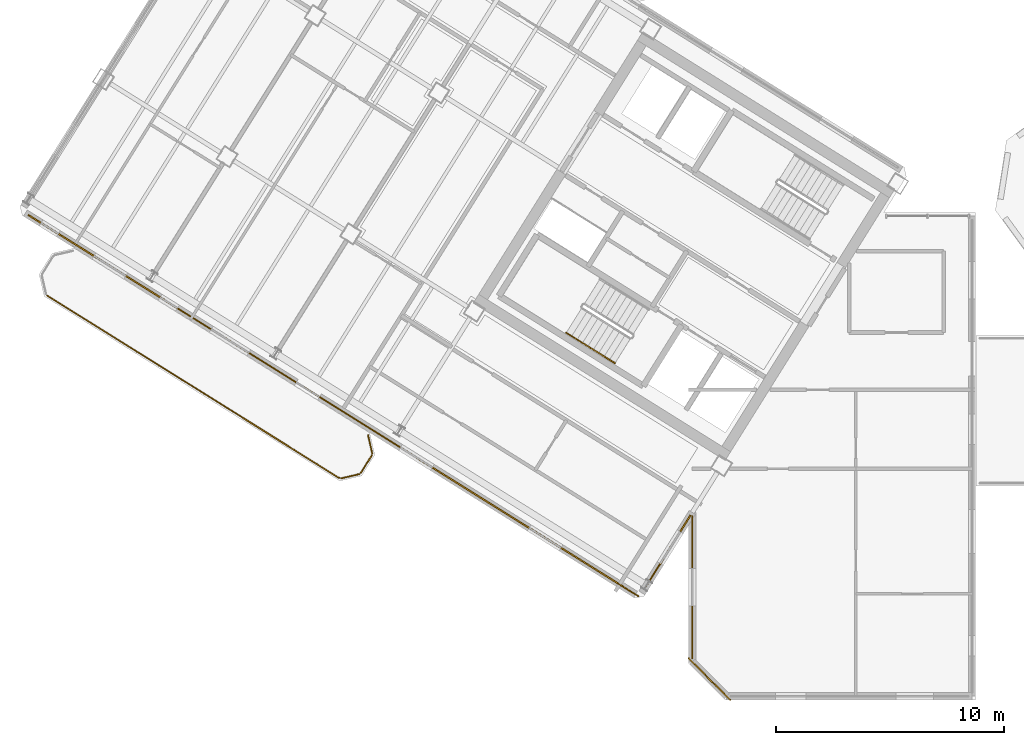
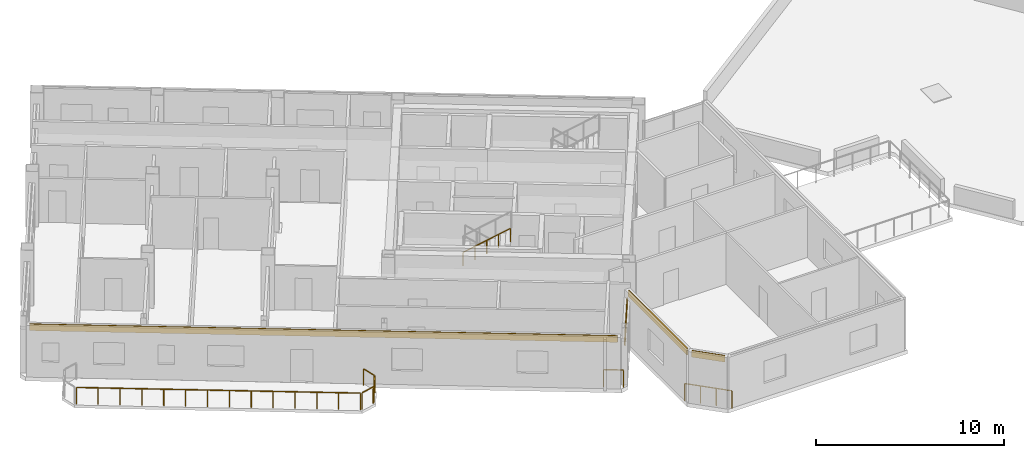
# One storey, part 9 of 14: 8 railings, 4 coverings.
"""IFC4 building model written with IfcOpenShell, lengths in metres."""

from ifc_helpers import new_model, si_unit, direction, frame, origin, origin_2d, place, context, subcontext, project, spatial, rectangle, extrude, source, transform, mapped, material, layer, layer_set, type_object, element, save


model = new_model("IFC4")

# Units and contexts
model_context = context("Model", 3, precision=1e-05, world=origin(), true_north=direction((0.0, 1.0)))
body_context = subcontext(model_context, "Body", "Model", "MODEL_VIEW")
ifc_project = project(units=[si_unit("LENGTHUNIT", "METRE"), si_unit("AREAUNIT", "SQUARE_METRE"), si_unit("VOLUMEUNIT", "CUBIC_METRE"), si_unit("PLANEANGLEUNIT", "RADIAN"), si_unit("MASSUNIT", "GRAM", prefix="KILO")], contexts=[model_context])

# Site, building, storey
site_placement = place(None, origin())
site = spatial("IfcSite", under=ifc_project, at=site_placement, CompositionType="ELEMENT")
building_placement = place(site_placement, origin())
building = spatial("IfcBuilding", under=site, at=building_placement, Name="Tlacorven Tower", CompositionType="ELEMENT")
storey_placement = place(building_placement, frame((0.0, 0.0, 262.800048828125)))
storey = spatial("IfcBuildingStorey", under=building, at=storey_placement, Name="L66", CompositionType="ELEMENT", Elevation=262.800048828125)

# Railings
ifc_material_1 = material(Name="Aluminium and painted steel balustrade", Category="steel")
railing_type_1 = type_object("IfcRailingType", Name="RL-BAL-1100", PredefinedType="BALUSTRADE", material=ifc_material_1)
shared_shape_1 = source(origin(), body_context, "Body", "SweptSolid", [
    extrude(rectangle(XDim=0.048095703125, YDim=0.048095703125, at=origin_2d()), frame((0.0, 0.0, 1.076171875), z_axis=(0.225058334816, -0.974345290916, 0.0), x_axis=(0.974345290916, 0.225058334816, 0.0)), (0.0, 0.0, 1.0), 0.80712890625),
    extrude(rectangle(XDim=0.0419921875, YDim=0.0419921875, at=origin_2d()), origin(), (0.0, 0.0, 1.0), 1.052001953125),
    extrude(rectangle(XDim=0.0419921875, YDim=0.0419921875, at=origin_2d()), frame((0.181640625, -0.786376953125, 0.0)), (0.0, 0.0, 1.0), 1.052001953125),
])
railing_1_placement = place(storey_placement, frame((17.5244140625, 13.413330078125, 0.0)))
element("IfcRailing", 1, at=railing_1_placement, inside=storey, type_object=railing_type_1, Name="BAL-L66-W-OUT Guard Railing 1", PredefinedType="BALUSTRADE", context=body_context, shape_type="MappedRepresentation", body=[
    mapped(shared_shape_1, transform((0.0, 0.0, 0.0), scale=1.0)),
])
shared_shape_2 = source(origin(), body_context, "Body", "SweptSolid", [
    extrude(rectangle(XDim=0.048095703125, YDim=0.048095703125, at=origin_2d()), frame((0.0, 0.0, 1.076171875), z_axis=(-0.52987865805, -0.848073468364, 0.0), x_axis=(0.848073468364, -0.52987865805, 0.0)), (0.0, 0.0, 1.0), 0.912353515625),
    extrude(rectangle(XDim=0.0419921875, YDim=0.0419921875, at=origin_2d()), origin(), (0.0, 0.0, 1.0), 1.052001953125),
    extrude(rectangle(XDim=0.0419921875, YDim=0.0419921875, at=origin_2d()), frame((-0.4833984375, -0.773681640625, 0.0)), (0.0, 0.0, 1.0), 1.052001953125),
])
railing_2_placement = place(storey_placement, frame((17.690673828125, 12.535888671875, 0.0)))
element("IfcRailing", 2, at=railing_2_placement, inside=storey, type_object=railing_type_1, Name="BAL-L66-W-OUT Guard Railing 2", PredefinedType="BALUSTRADE", context=body_context, shape_type="MappedRepresentation", body=[
    mapped(shared_shape_2, transform((0.0, 0.0, 0.0), scale=1.0)),
])
shared_shape_3 = source(origin(), body_context, "Body", "SweptSolid", [
    extrude(rectangle(XDim=0.048095703125, YDim=0.048095703125, at=origin_2d()), frame((0.0, 0.0, 1.076171875), z_axis=(-0.974411586182, -0.224771129628, 0.0), x_axis=(0.224771129628, -0.974411586182, 0.0)), (0.0, 0.0, 1.0), 0.80712890625),
    extrude(rectangle(XDim=0.0419921875, YDim=0.0419921875, at=origin_2d()), origin(), (0.0, 0.0, 1.0), 1.052001953125),
    extrude(rectangle(XDim=0.0419921875, YDim=0.0419921875, at=origin_2d()), frame((-0.786376953125, -0.181396484375, 0.0)), (0.0, 0.0, 1.0), 1.052001953125),
])
railing_3_placement = place(storey_placement, frame((17.132080078125, 11.70849609375, 0.0)))
element("IfcRailing", 3, at=railing_3_placement, inside=storey, type_object=railing_type_1, Name="BAL-L66-W-OUT Guard Railing 3", PredefinedType="BALUSTRADE", context=body_context, shape_type="MappedRepresentation", body=[
    mapped(shared_shape_3, transform((0.0, 0.0, 0.0), scale=1.0)),
])
shared_shape_4 = source(origin(), body_context, "Body", "SweptSolid", [
    extrude(rectangle(XDim=0.048095703125, YDim=0.048095703125, at=origin_2d()), frame((0.0, 0.0, 1.076171875), z_axis=(-0.848044572804, 0.529924902733, 0.0), x_axis=(-0.529924902733, -0.848044572804, 0.0)), (0.0, 0.0, 1.0), 15.1171875),
    extrude(rectangle(XDim=0.0419921875, YDim=0.0419921875, at=origin_2d()), origin(), (0.0, 0.0, 1.0), 1.052001953125),
    extrude(rectangle(XDim=0.0419921875, YDim=0.0419921875, at=origin_2d()), frame((-0.986083984375, 0.6162109375, 0.0)), (0.0, 0.0, 1.0), 1.052001953125),
    extrude(rectangle(XDim=0.0419921875, YDim=0.0419921875, at=origin_2d()), frame((-1.972412109375, 1.232421875, 0.0)), (0.0, 0.0, 1.0), 1.052001953125),
    extrude(rectangle(XDim=0.0419921875, YDim=0.0419921875, at=origin_2d()), frame((-2.95849609375, 1.8486328125, 0.0)), (0.0, 0.0, 1.0), 1.052001953125),
    extrude(rectangle(XDim=0.0419921875, YDim=0.0419921875, at=origin_2d()), frame((-3.944580078125, 2.46484375, 0.0)), (0.0, 0.0, 1.0), 1.052001953125),
    extrude(rectangle(XDim=0.0419921875, YDim=0.0419921875, at=origin_2d()), frame((-4.930908203125, 3.0810546875, 0.0)), (0.0, 0.0, 1.0), 1.052001953125),
    extrude(rectangle(XDim=0.0419921875, YDim=0.0419921875, at=origin_2d()), frame((-5.9169921875, 3.697265625, 0.0)), (0.0, 0.0, 1.0), 1.052001953125),
    extrude(rectangle(XDim=0.0419921875, YDim=0.0419921875, at=origin_2d()), frame((-6.903076171875, 4.313720703125, 0.0)), (0.0, 0.0, 1.0), 1.052001953125),
    extrude(rectangle(XDim=0.0419921875, YDim=0.0419921875, at=origin_2d()), frame((-7.88916015625, 4.929931640625, 0.0)), (0.0, 0.0, 1.0), 1.052001953125),
    extrude(rectangle(XDim=0.0419921875, YDim=0.0419921875, at=origin_2d()), frame((-8.87548828125, 5.546142578125, 0.0)), (0.0, 0.0, 1.0), 1.052001953125),
    extrude(rectangle(XDim=0.0419921875, YDim=0.0419921875, at=origin_2d()), frame((-9.861572265625, 6.162353515625, 0.0)), (0.0, 0.0, 1.0), 1.052001953125),
    extrude(rectangle(XDim=0.0419921875, YDim=0.0419921875, at=origin_2d()), frame((-10.84765625, 6.778564453125, 0.0)), (0.0, 0.0, 1.0), 1.052001953125),
    extrude(rectangle(XDim=0.0419921875, YDim=0.0419921875, at=origin_2d()), frame((-11.833984375, 7.394775390625, 0.0)), (0.0, 0.0, 1.0), 1.052001953125),
    extrude(rectangle(XDim=0.0419921875, YDim=0.0419921875, at=origin_2d()), frame((-12.820068359375, 8.010986328125, 0.0)), (0.0, 0.0, 1.0), 1.052001953125),
])
railing_4_placement = place(storey_placement, frame((16.254638671875, 11.542236328125, 0.0)))
element("IfcRailing", 4, at=railing_4_placement, inside=storey, type_object=railing_type_1, Name="BAL-L66-W-OUT Guard Railing 4", PredefinedType="BALUSTRADE", context=body_context, shape_type="MappedRepresentation", body=[
    mapped(shared_shape_4, transform((0.0, 0.0, 0.0), scale=1.0)),
])
railing_type_2 = type_object("IfcRailingType", Name="RL-GRD-1150", PredefinedType="GUARDRAIL", material=ifc_material_1)
shared_shape_5 = source(origin(), body_context, "Body", "SweptSolid", [
    extrude(rectangle(XDim=0.048095703125, YDim=0.048095703125, at=origin_2d()), frame((0.0, 0.0, 1.1259765625), z_axis=(-0.707106781187, 0.707106781187, 0.0), x_axis=(-0.707106781187, -0.707106781187, 0.0)), (0.0, 0.0, 1.0), 2.590087890625),
    extrude(rectangle(XDim=0.0419921875, YDim=0.0419921875, at=origin_2d()), origin(), (0.0, 0.0, 1.0), 1.101806640625),
    extrude(rectangle(XDim=0.0419921875, YDim=0.0419921875, at=origin_2d()), frame((-0.610595703125, 0.610595703125, 0.0)), (0.0, 0.0, 1.0), 1.101806640625),
    extrude(rectangle(XDim=0.0419921875, YDim=0.0419921875, at=origin_2d()), frame((-1.220947265625, 1.220947265625, 0.0)), (0.0, 0.0, 1.0), 1.101806640625),
    extrude(rectangle(XDim=0.0419921875, YDim=0.0419921875, at=origin_2d()), frame((-1.83154296875, 1.83154296875, 0.0)), (0.0, 0.0, 1.0), 1.101806640625),
])
railing_5_placement = place(storey_placement, frame((33.428955078125, 1.79736328125, 0.0)))
element("IfcRailing", 5, at=railing_5_placement, inside=storey, type_object=railing_type_2, Name="L66 Knuckle Glazed Sill Guard 1", PredefinedType="GUARDRAIL", context=body_context, shape_type="MappedRepresentation", body=[
    mapped(shared_shape_5, transform((0.0, 0.0, 0.0), scale=1.0)),
])
shared_shape_6 = source(origin(), body_context, "Body", "SweptSolid", [
    extrude(rectangle(XDim=0.048095703125, YDim=0.048095703125, at=origin_2d()), frame((0.0, 0.0, 1.1259765625), z_axis=(-0.848102774857, 0.529831749973, 0.0), x_axis=(-0.529831749973, -0.848102774857, 0.0)), (0.0, 0.0, 1.0), 1.050048828125),
    extrude(rectangle(XDim=0.0419921875, YDim=0.0419921875, at=origin_2d()), origin(), (0.0, 0.0, 1.0), 1.101806640625),
    extrude(rectangle(XDim=0.0419921875, YDim=0.0419921875, at=origin_2d()), frame((-0.890625, 0.556396484375, 0.0)), (0.0, 0.0, 1.0), 1.101806640625),
])
railing_6_placement = place(storey_placement, frame((29.39501953125, 6.35009765625, 0.0)))
element("IfcRailing", 6, at=railing_6_placement, inside=storey, type_object=railing_type_2, Name="L66 Knuckle Glazed Sill Guard 2", PredefinedType="GUARDRAIL", context=body_context, shape_type="MappedRepresentation", body=[
    mapped(shared_shape_6, transform((0.0, 0.0, 0.0), scale=1.0)),
])

# Coverings
ifc_material_2 = material(Name="Precast concrete C45/55", Category="concrete")
ifc_layer = layer(ifc_material_2, 0.06005859375)
ifc_layer_set = layer_set([ifc_layer], Name="Precast concrete C45/55")
covering_type = type_object("IfcCoveringType", Name="CV-CLD-TERC", PredefinedType="CLADDING", material=ifc_layer_set)
shared_shape_7 = source(origin(), body_context, "Body", "SweptSolid", [
    extrude(rectangle(XDim=31.287353515625, YDim=0.06005859375, at=origin_2d()), origin(), (0.0, 0.0, 1.0), 0.419921875),
])
covering_1_placement = place(storey_placement, frame((15.8740234375, 14.798828125, 2.929931640625), z_axis=(0.0, 0.0, 1.0), x_axis=(-0.84804812172, 0.529919223323, 0.0)))
element("IfcCovering", 7, at=covering_1_placement, inside=storey, type_object=covering_type, Name="L66 Masonry-Frame Spandrel Cladding 6", PredefinedType="CLADDING", context=body_context, shape_type="MappedRepresentation", body=[
    mapped(shared_shape_7, transform((0.0, 0.0, 0.0), scale=1.0)),
])
shared_shape_8 = source(origin(), body_context, "Body", "SweptSolid", [
    extrude(rectangle(XDim=1.830078125, YDim=0.06005859375, at=origin_2d()), origin(), (0.0, 0.0, 1.0), 0.419921875),
])
covering_2_placement = place(storey_placement, frame((32.51318359375, 2.713134765625, 2.929931640625), z_axis=(0.0, 0.0, 1.0), x_axis=(-0.707106781187, 0.707106781187, 0.0)))
element("IfcCovering", 8, at=covering_2_placement, inside=storey, type_object=covering_type, Name="L66 Masonry-Frame Spandrel Cladding 3", PredefinedType="CLADDING", context=body_context, shape_type="MappedRepresentation", body=[
    mapped(shared_shape_8, transform((0.0, 0.0, 0.0), scale=1.0)),
])
shared_shape_9 = source(origin(), body_context, "Body", "SweptSolid", [
    extrude(rectangle(XDim=6.262451171875, YDim=0.06005859375, at=origin_2d()), origin(), (0.0, 0.0, 1.0), 0.419921875),
])
covering_3_placement = place(storey_placement, frame((31.760009765625, 6.74755859375, 2.929931640625), z_axis=(0.0, 0.0, 1.0), x_axis=(0.0, 1.0, 0.0)))
element("IfcCovering", 9, at=covering_3_placement, inside=storey, type_object=covering_type, Name="L66 Masonry-Frame Spandrel Cladding 4", PredefinedType="CLADDING", context=body_context, shape_type="MappedRepresentation", body=[
    mapped(shared_shape_9, transform((0.0, 0.0, 0.0), scale=1.0)),
])
shared_shape_10 = source(origin(), body_context, "Body", "SweptSolid", [
    extrude(rectangle(XDim=3.86669921875, YDim=0.06005859375, at=origin_2d()), origin(), (0.0, 0.0, 1.0), 0.419921875),
])
covering_4_placement = place(storey_placement, frame((30.656005859375, 8.261962890625, 2.455078125), z_axis=(0.0, 0.0, 1.0), x_axis=(-0.529918710919, -0.848048441905, 0.0)))
element("IfcCovering", 10, at=covering_4_placement, inside=storey, type_object=covering_type, Name="L66 Masonry-Frame Spandrel Cladding 5", PredefinedType="CLADDING", context=body_context, shape_type="MappedRepresentation", body=[
    mapped(shared_shape_10, transform((0.0, 0.0, 0.0), scale=1.0)),
])

# Railings
railing_type_3 = type_object("IfcRailingType", Name="RL-HND-0900", PredefinedType="HANDRAIL", material=ifc_material_1)
shared_shape_11 = source(origin(), body_context, "Body", "SweptSolid", [
    extrude(rectangle(XDim=0.048095703125, YDim=0.048095703125, at=origin_2d()), frame((0.0, 0.0, 0.8759765625), z_axis=(0.713359751793, -0.4457479829, 0.540764828981), x_axis=(0.529911857636, 0.848052724267, 0.0)), (0.0, 0.0, 1.0), 1.498046875),
    extrude(rectangle(XDim=0.0419921875, YDim=0.0419921875, at=origin_2d()), origin(), (0.0, 0.0, 1.0), 0.851806640625),
    extrude(rectangle(XDim=0.0419921875, YDim=0.0419921875, at=origin_2d()), frame((0.5341796875, -0.333984375, 0.405029296875)), (0.0, 0.0, 1.0), 0.851806640625),
    extrude(rectangle(XDim=0.0419921875, YDim=0.0419921875, at=origin_2d()), frame((1.068603515625, -0.667724609375, 0.81005859375)), (0.0, 0.0, 1.0), 0.851806640625),
])
railing_7_placement = place(storey_placement, frame((26.228759765625, 17.915283203125, 1.97998046875)))
element("IfcRailing", 11, at=railing_7_placement, inside=storey, type_object=railing_type_3, Name="L66 ST-W1 stair handrail 3", PredefinedType="HANDRAIL", context=body_context, shape_type="MappedRepresentation", body=[
    mapped(shared_shape_11, transform((0.0, 0.0, 0.0), scale=1.0)),
])
shared_shape_12 = source(origin(), body_context, "Body", "SweptSolid", [
    extrude(rectangle(XDim=0.048095703125, YDim=0.048095703125, at=origin_2d()), frame((0.0, 0.0, 0.8759765625), z_axis=(0.713342573076, -0.445839108173, 0.540712366292), x_axis=(0.529998940003, 0.847998304005, 0.0)), (0.0, 0.0, 1.0), 1.49755859375),
    extrude(rectangle(XDim=0.0419921875, YDim=0.0419921875, at=origin_2d()), origin(), (0.0, 0.0, 1.0), 0.851806640625),
    extrude(rectangle(XDim=0.0419921875, YDim=0.0419921875, at=origin_2d()), frame((0.5341796875, -0.333984375, 0.40478515625)), (0.0, 0.0, 1.0), 0.851806640625),
    extrude(rectangle(XDim=0.0419921875, YDim=0.0419921875, at=origin_2d()), frame((1.068359375, -0.667724609375, 0.809814453125)), (0.0, 0.0, 1.0), 0.851806640625),
])
railing_8_placement = place(storey_placement, frame((27.29736328125, 17.24755859375, 2.7900390625)))
element("IfcRailing", 12, at=railing_8_placement, inside=storey, type_object=railing_type_3, Name="L66 ST-W1 stair handrail 4", PredefinedType="HANDRAIL", context=body_context, shape_type="MappedRepresentation", body=[
    mapped(shared_shape_12, transform((0.0, 0.0, 0.0), scale=1.0)),
])

save(model, "model.ifc")
